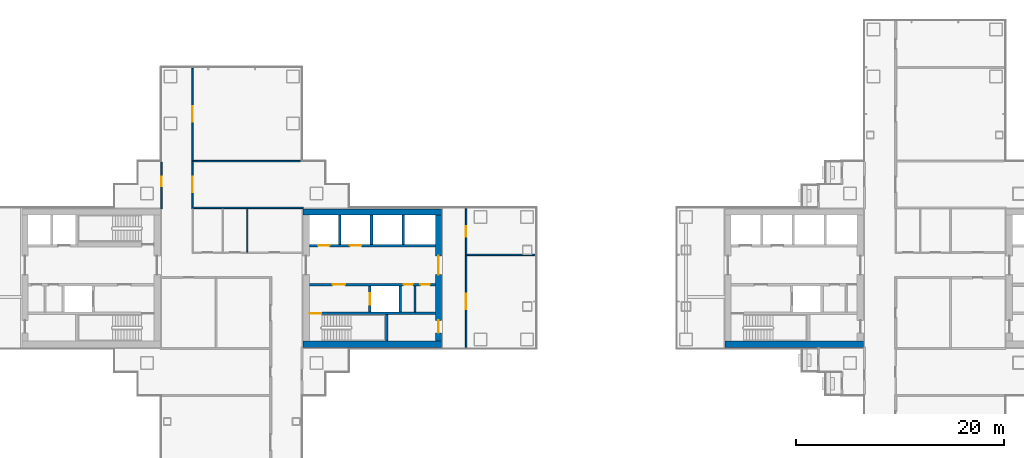
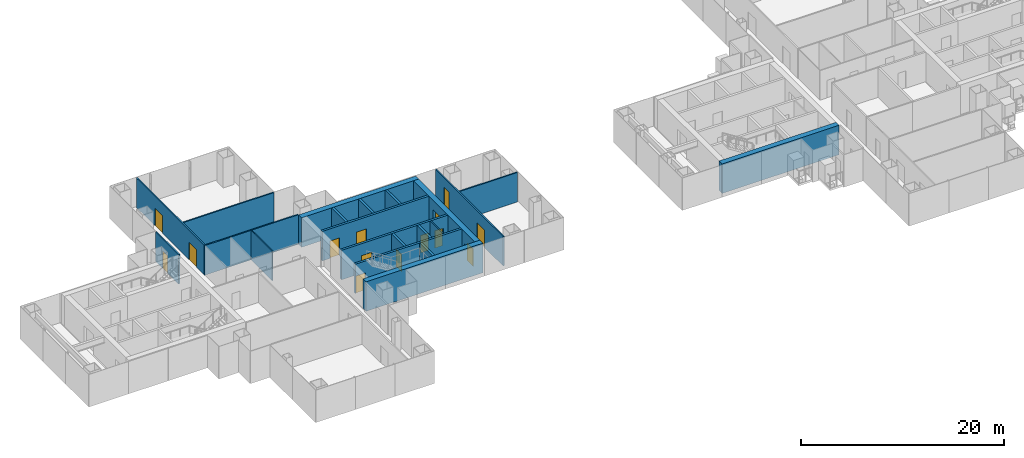
# One storey, part 13 of 20: 21 walls, 14 doors, 14 openings.
"""IFC4 building model written with IfcOpenShell, lengths in metres."""

from ifc_helpers import new_model, si_unit, direction, frame, frame_2d, origin, place, context, subcontext, project, spatial, rectangle, extrude, material, layer, layer_set, type_object, element, fill, save


model = new_model("IFC4")

# Units and contexts
model_context = context("Model", 3, precision=1e-05, world=origin(), true_north=direction((0.0, 1.0)))
body_context = subcontext(model_context, "Body", "Model", "MODEL_VIEW")
ifc_project = project(units=[si_unit("LENGTHUNIT", "METRE"), si_unit("AREAUNIT", "SQUARE_METRE"), si_unit("VOLUMEUNIT", "CUBIC_METRE"), si_unit("PLANEANGLEUNIT", "RADIAN"), si_unit("MASSUNIT", "GRAM", prefix="KILO")], contexts=[model_context])

# Site, building, storey
site_placement = place(None, origin())
site = spatial("IfcSite", under=ifc_project, at=site_placement, CompositionType="ELEMENT")
building_placement = place(site_placement, origin())
building = spatial("IfcBuilding", under=site, at=building_placement, Name="Shamsa Quay Exchange Towers", CompositionType="ELEMENT")
storey_placement = place(building_placement, frame((0.0, 0.0, 109.199951171875)))
storey = spatial("IfcBuildingStorey", under=building, at=storey_placement, Name="L25", CompositionType="ELEMENT", Elevation=109.199951171875)

# Walls
ifc_material_1 = material(Name="Concrete C70/85", Category="concrete")
ifc_layer_1 = layer(ifc_material_1, 0.60009765625)
ifc_layer_set_1 = layer_set([ifc_layer_1], Name="CORE WALL 600 C70/85")
wall_type_1 = type_object("IfcWallType", Name="CORE WALL 600 C70/85", PredefinedType="SHEAR", material=ifc_layer_set_1)
for number, where, name in (
    (1, (-26.89990234375, -6.35009765625, 0.0), "Core wall T1A-R11-PS"),
    (2, (-26.89990234375, 6.35009765625, 0.0), "Core wall T1A-R11-PN"),
):
    element("IfcWall", number, at=place(storey_placement, frame(where)), inside=storey, type_object=wall_type_1, Name=name, PredefinedType="SHEAR", context=body_context, shape_type="SweptSolid", body=[
        extrude(rectangle(XDim=13.2998046875, YDim=0.60009765625, at=frame_2d((6.64990234375, 0.0))), origin(), (0.0, 0.0, 1.0), 3.550048828125),
    ])

# Wall, openings, doors
wall_1_placement = place(storey_placement, frame((-13.89990234375, 6.050048828125, 0.0), z_axis=(0.0, 0.0, 1.0), x_axis=(0.0, -1.0, 0.0)))
wall_1 = element("IfcWall", 3, at=wall_1_placement, inside=storey, type_object=wall_type_1, Name="Core wall T1A-R11-PB", PredefinedType="SHEAR", context=body_context, shape_type="SweptSolid", body=[
    extrude(rectangle(XDim=12.10009765625, YDim=0.60009765625, at=frame_2d((6.050048828125, 0.0))), origin(), (0.0, 0.0, 1.0), 3.550048828125),
])
opening_1_placement = place(wall_1_placement, frame((10.10009765625, 0.0, 0.0)))
opening_1 = element("IfcOpeningElement", 4, at=opening_1_placement, cuts=wall_1, Name="Opening T1A-R11-RD02", PredefinedType="OPENING", context=body_context, shape_type="SweptSolid", body=[
    extrude(rectangle(XDim=1.199951171875, YDim=2.10009765625, at=frame_2d((0.60009765625, 1.050048828125))), frame((0.0, 0.31005859375, 0.0), z_axis=(0.0, -1.0, 0.0), x_axis=(1.0, 0.0, 0.0)), (0.0, 0.0, 1.0), 0.6201171875),
])
opening_2_placement = place(wall_1_placement, frame((3.89990234375, 0.0, 0.0)))
opening_2 = element("IfcOpeningElement", 5, at=opening_2_placement, cuts=wall_1, Name="Opening T1A-R11-LBD03", PredefinedType="OPENING", context=body_context, shape_type="SweptSolid", body=[
    extrude(rectangle(XDim=1.800048828125, YDim=2.39990234375, at=frame_2d((0.89990234375, 1.199951171875))), frame((0.0, 0.31005859375, 0.0), z_axis=(0.0, -1.0, 0.0), x_axis=(1.0, 0.0, 0.0)), (0.0, 0.0, 1.0), 0.6201171875),
])
ifc_material_2 = material(Name="Steel, fire rated", Category="steel")
door_type_1 = type_object("IfcDoorType", Name="LIFT LOBBY DOOR PAIR 1800", OperationType="DOUBLE_DOOR_SINGLE_SWING", PredefinedType="DOOR", material=ifc_material_2)
door_1_placement = place(opening_2_placement, origin())
door_1 = element("IfcDoor", 6, at=door_1_placement, inside=storey, type_object=door_type_1, Name="T1A-R11-LBD03", OperationType="DOUBLE_DOOR_SINGLE_SWING", OverallHeight=2.39990234375, OverallWidth=1.800048828125, PredefinedType="DOOR", context=body_context, shape_type="SweptSolid", body=[
    extrude(rectangle(XDim=1.800048828125, YDim=2.39990234375, at=frame_2d((0.89990234375, 1.199951171875))), frame((0.0, 0.02490234375, 0.0), z_axis=(0.0, -1.0, 0.0), x_axis=(1.0, 0.0, 0.0)), (0.0, 0.0, 1.0), 0.050048828125),
])
fill(opening_2, door_1)
door_type_2 = type_object("IfcDoorType", Name="RISER ACCESS DOOR 1200", OperationType="SINGLE_SWING_LEFT", PredefinedType="DOOR", material=ifc_material_2)
door_2_placement = place(opening_1_placement, origin())
door_2 = element("IfcDoor", 7, at=door_2_placement, inside=storey, type_object=door_type_2, Name="T1A-R11-RD02", OperationType="SINGLE_SWING_RIGHT", OverallHeight=2.10009765625, OverallWidth=1.199951171875, PredefinedType="DOOR", context=body_context, shape_type="SweptSolid", body=[
    extrude(rectangle(XDim=1.199951171875, YDim=2.10009765625, at=frame_2d((0.60009765625, 1.050048828125))), frame((0.0, 0.02490234375, 0.0), z_axis=(0.0, -1.0, 0.0), x_axis=(1.0, 0.0, 0.0)), (0.0, 0.0, 1.0), 0.050048828125),
])
fill(opening_1, door_2)

# Walls
wall_2_placement = place(storey_placement, frame((13.60009765625, -6.35009765625, 0.0)))
element("IfcWall", 8, at=wall_2_placement, inside=storey, type_object=wall_type_1, Name="Core wall T2A-R11-PS", PredefinedType="SHEAR", context=body_context, shape_type="SweptSolid", body=[
    extrude(rectangle(XDim=13.2998046875, YDim=0.60009765625, at=frame_2d((6.64990234375, 0.0))), origin(), (0.0, 0.0, 1.0), 3.550048828125),
])
ifc_material_3 = material(Name="Gypsum board on steel studs, EI 60", Category="steel")
ifc_layer_2 = layer(ifc_material_3, 0.14990234375)
ifc_layer_set_2 = layer_set([ifc_layer_2], Name="FIRE PARTITION 150")
wall_type_2 = type_object("IfcWallType", Name="FIRE PARTITION 150", PredefinedType="PARTITIONING", material=ifc_layer_set_2)
wall_3_placement = place(storey_placement, frame((-16.14990234375, -3.25, 0.0), z_axis=(0.0, 0.0, 1.0), x_axis=(0.0, 1.0, 0.0)))
element("IfcWall", 9, at=wall_3_placement, inside=storey, type_object=wall_type_2, Name="Partition T1A-R11-EC0", PredefinedType="PARTITIONING", context=body_context, shape_type="SweptSolid", body=[
    extrude(rectangle(XDim=2.5, YDim=0.14990234375, at=frame_2d((1.25, 0.0))), origin(), (0.0, 0.0, 1.0), 3.550048828125),
])
ifc_material_4 = material(Name="Laminated fire-resisting glass in a metal frame", Category="glass")
ifc_layer_3 = layer(ifc_material_4, 0.125)
ifc_layer_set_3 = layer_set([ifc_layer_3], Name="Glazed partition 125 mm EI 60")
wall_type_3 = type_object("IfcWallType", Name="Glazed partition 125 mm EI 60", PredefinedType="PARTITIONING", material=ifc_layer_set_3)
wall_4_placement = place(storey_placement, frame((-32.25, 2.5126953125, 0.0), z_axis=(0.0, 0.0, 1.0), x_axis=(0.0, 1.0, 0.0)))
element("IfcWall", 10, at=wall_4_placement, inside=storey, type_object=wall_type_3, Name="Partition T1-R11-W13", PredefinedType="PARTITIONING", context=body_context, shape_type="SweptSolid", body=[
    extrude(rectangle(XDim=4.162353515625, YDim=0.125, at=frame_2d((2.0810546875, 0.0))), origin(), (0.0, 0.0, 1.0), 3.550048828125),
])

# Wall, openings, doors
ifc_material_5 = material(Name="Gypsum board partition on metal studs")
ifc_layer_4 = layer(ifc_material_5, 0.14990234375)
ifc_layer_set_4 = layer_set([ifc_layer_4], Name="Partition 150 mm EI 60")
wall_type_4 = type_object("IfcWallType", Name="Partition 150 mm EI 60", PredefinedType="PARTITIONING", material=ifc_layer_set_4)
wall_5_placement = place(storey_placement, frame((-37.5, 20.155029296875, 0.0), z_axis=(0.0, 0.0, 1.0), x_axis=(0.0, -1.0, 0.0)))
wall_5 = element("IfcWall", 11, at=wall_5_placement, inside=storey, type_object=wall_type_4, Name="Partition T1-R11-W01", PredefinedType="PARTITIONING", context=body_context, shape_type="SweptSolid", body=[
    extrude(rectangle(XDim=13.330078125, YDim=0.14990234375, at=frame_2d((6.6650390625, 0.0))), origin(), (0.0, 0.0, 1.0), 3.550048828125),
])
opening_3_placement = place(wall_5_placement, frame((3.655029296875, 0.0, 0.0)))
opening_3 = element("IfcOpeningElement", 12, at=opening_3_placement, cuts=wall_5, Name="Opening T1-R11-D04", PredefinedType="OPENING", context=body_context, shape_type="SweptSolid", body=[
    extrude(rectangle(XDim=1.5, YDim=2.10009765625, at=frame_2d((0.75, 1.050048828125))), frame((0.0, 0.0849609375, 0.0), z_axis=(0.0, -1.0, 0.0), x_axis=(1.0, 0.0, 0.0)), (0.0, 0.0, 1.0), 0.169921875),
])
opening_4_placement = place(wall_5_placement, frame((10.405029296875, 0.0, 0.0)))
opening_4 = element("IfcOpeningElement", 13, at=opening_4_placement, cuts=wall_5, Name="Opening T1-R11-D05", PredefinedType="OPENING", context=body_context, shape_type="SweptSolid", body=[
    extrude(rectangle(XDim=1.5, YDim=2.10009765625, at=frame_2d((0.75, 1.050048828125))), frame((0.0, 0.0849609375, 0.0), z_axis=(0.0, -1.0, 0.0), x_axis=(1.0, 0.0, 0.0)), (0.0, 0.0, 1.0), 0.169921875),
])
ifc_material_6 = material(Name="Timber door leaf in a metal frame", Category="wood")
door_type_3 = type_object("IfcDoorType", Name="Door 1500x2100 FD30S pair", OperationType="NOTDEFINED", PredefinedType="DOOR", material=ifc_material_6)
door_3_placement = place(opening_3_placement, origin())
door_3 = element("IfcDoor", 14, at=door_3_placement, inside=storey, type_object=door_type_3, Name="Door T1-R11-D04", OperationType="DOUBLE_DOOR_SINGLE_SWING", OverallHeight=2.10009765625, OverallWidth=1.5, PredefinedType="DOOR", context=body_context, shape_type="SweptSolid", body=[
    extrude(rectangle(XDim=1.5, YDim=2.10009765625, at=frame_2d((0.75, 1.050048828125))), frame((0.0, 0.02490234375, 0.0), z_axis=(0.0, -1.0, 0.0), x_axis=(1.0, 0.0, 0.0)), (0.0, 0.0, 1.0), 0.050048828125),
])
fill(opening_3, door_3)
door_4_placement = place(opening_4_placement, origin())
door_4 = element("IfcDoor", 15, at=door_4_placement, inside=storey, type_object=door_type_3, Name="Door T1-R11-D05", OperationType="DOUBLE_DOOR_SINGLE_SWING", OverallHeight=2.10009765625, OverallWidth=1.5, PredefinedType="DOOR", context=body_context, shape_type="SweptSolid", body=[
    extrude(rectangle(XDim=1.5, YDim=2.10009765625, at=frame_2d((0.75, 1.050048828125))), frame((0.0, 0.02490234375, 0.0), z_axis=(0.0, -1.0, 0.0), x_axis=(1.0, 0.0, 0.0)), (0.0, 0.0, 1.0), 0.050048828125),
])
fill(opening_4, door_4)

# Wall, opening, door
wall_6_placement = place(storey_placement, frame((-40.5, 6.64990234375, 0.0), z_axis=(0.0, 0.0, 1.0), x_axis=(0.0, 1.0, 0.0)))
wall_6 = element("IfcWall", 16, at=wall_6_placement, inside=storey, type_object=wall_type_4, Name="Partition T1-R11-W08", PredefinedType="PARTITIONING", context=body_context, shape_type="SweptSolid", body=[
    extrude(rectangle(XDim=4.505126953125, YDim=0.14990234375, at=frame_2d((2.25244140625, 0.0))), origin(), (0.0, 0.0, 1.0), 3.550048828125),
])
opening_5_placement = place(wall_6_placement, frame((2.199951171875, 0.0, 0.0)))
opening_5 = element("IfcOpeningElement", 17, at=opening_5_placement, cuts=wall_6, Name="Opening T1-R11-D01", PredefinedType="OPENING", context=body_context, shape_type="SweptSolid", body=[
    extrude(rectangle(XDim=0.89990234375, YDim=2.10009765625, at=frame_2d((0.449951171875, 1.050048828125))), frame((0.0, 0.0849609375, 0.0), z_axis=(0.0, -1.0, 0.0), x_axis=(1.0, 0.0, 0.0)), (0.0, 0.0, 1.0), 0.169921875),
])
door_type_4 = type_object("IfcDoorType", Name="Door 900x2100 FD30S", OperationType="NOTDEFINED", PredefinedType="DOOR", material=ifc_material_6)
door_5_placement = place(opening_5_placement, origin())
door_5 = element("IfcDoor", 18, at=door_5_placement, inside=storey, type_object=door_type_4, Name="Door T1-R11-D01", OperationType="SINGLE_SWING_RIGHT", OverallHeight=2.10009765625, OverallWidth=0.89990234375, PredefinedType="DOOR", context=body_context, shape_type="SweptSolid", body=[
    extrude(rectangle(XDim=0.89990234375, YDim=2.10009765625, at=frame_2d((0.449951171875, 1.050048828125))), frame((0.0, 0.02490234375, 0.0), z_axis=(0.0, -1.0, 0.0), x_axis=(1.0, 0.0, 0.0)), (0.0, 0.0, 1.0), 0.050048828125),
])
fill(opening_5, door_5)

# Wall, openings, doors
wall_7_placement = place(storey_placement, frame((-11.25, 6.655029296875, 0.0), z_axis=(0.0, 0.0, 1.0), x_axis=(0.0, -1.0, 0.0)))
wall_7 = element("IfcWall", 19, at=wall_7_placement, inside=storey, type_object=wall_type_4, Name="Partition T1-R11-W09", PredefinedType="PARTITIONING", context=body_context, shape_type="SweptSolid", body=[
    extrude(rectangle(XDim=13.31005859375, YDim=0.14990234375, at=frame_2d((6.655029296875, 0.0))), origin(), (0.0, 0.0, 1.0), 3.550048828125),
])
opening_6_placement = place(wall_7_placement, frame((1.655029296875, 0.0, 0.0)))
opening_6 = element("IfcOpeningElement", 20, at=opening_6_placement, cuts=wall_7, Name="Opening T1-R11-D12", PredefinedType="OPENING", context=body_context, shape_type="SweptSolid", body=[
    extrude(rectangle(XDim=1.0, YDim=2.39990234375, at=frame_2d((0.5, 1.199951171875))), frame((0.0, 0.0849609375, 0.0), z_axis=(0.0, -1.0, 0.0), x_axis=(1.0, 0.0, 0.0)), (0.0, 0.0, 1.0), 0.169921875),
])
opening_7_placement = place(wall_7_placement, frame((8.155029296875, 0.0, 0.0)))
opening_7 = element("IfcOpeningElement", 21, at=opening_7_placement, cuts=wall_7, Name="Opening T1-R11-D13", PredefinedType="OPENING", context=body_context, shape_type="SweptSolid", body=[
    extrude(rectangle(XDim=1.5, YDim=2.10009765625, at=frame_2d((0.75, 1.050048828125))), frame((0.0, 0.0849609375, 0.0), z_axis=(0.0, -1.0, 0.0), x_axis=(1.0, 0.0, 0.0)), (0.0, 0.0, 1.0), 0.169921875),
])
door_type_5 = type_object("IfcDoorType", Name="Door 1000x2400 FD30S", OperationType="NOTDEFINED", PredefinedType="DOOR", material=ifc_material_6)
door_6_placement = place(opening_6_placement, origin())
door_6 = element("IfcDoor", 22, at=door_6_placement, inside=storey, type_object=door_type_5, Name="Door T1-R11-D12", OperationType="SINGLE_SWING_LEFT", OverallHeight=2.39990234375, OverallWidth=1.0, PredefinedType="DOOR", context=body_context, shape_type="SweptSolid", body=[
    extrude(rectangle(XDim=1.0, YDim=2.39990234375, at=frame_2d((0.5, 1.199951171875))), frame((0.0, 0.02490234375, 0.0), z_axis=(0.0, -1.0, 0.0), x_axis=(1.0, 0.0, 0.0)), (0.0, 0.0, 1.0), 0.050048828125),
])
fill(opening_6, door_6)
door_7_placement = place(opening_7_placement, origin())
door_7 = element("IfcDoor", 23, at=door_7_placement, inside=storey, type_object=door_type_3, Name="Door T1-R11-D13", OperationType="DOUBLE_DOOR_SINGLE_SWING", OverallHeight=2.10009765625, OverallWidth=1.5, PredefinedType="DOOR", context=body_context, shape_type="SweptSolid", body=[
    extrude(rectangle(XDim=1.5, YDim=2.10009765625, at=frame_2d((0.75, 1.050048828125))), frame((0.0, 0.02490234375, 0.0), z_axis=(0.0, -1.0, 0.0), x_axis=(1.0, 0.0, 0.0)), (0.0, 0.0, 1.0), 0.050048828125),
])
fill(opening_7, door_7)

# Walls
wall_8_placement = place(storey_placement, frame((-27.094970703125, 11.25, 0.0), z_axis=(0.0, 0.0, 1.0), x_axis=(-1.0, 0.0, 0.0)))
element("IfcWall", 24, at=wall_8_placement, inside=storey, type_object=wall_type_4, Name="Partition T1-R11-W10", PredefinedType="PARTITIONING", context=body_context, shape_type="SweptSolid", body=[
    extrude(rectangle(XDim=10.330078125, YDim=0.14990234375, at=frame_2d((5.1650390625, 0.0))), origin(), (0.0, 0.0, 1.0), 3.550048828125),
])
wall_9_placement = place(storey_placement, frame((-37.574951171875, 6.75, 0.0)))
element("IfcWall", 25, at=wall_9_placement, inside=storey, type_object=wall_type_4, Name="Partition T1-R11-W11", PredefinedType="PARTITIONING", context=body_context, shape_type="SweptSolid", body=[
    extrude(rectangle(XDim=10.675048828125, YDim=0.14990234375, at=frame_2d((5.33740234375, 0.0))), origin(), (0.0, 0.0, 1.0), 3.550048828125),
])
wall_10_placement = place(storey_placement, frame((-4.594970703125, 2.25, 0.0), z_axis=(0.0, 0.0, 1.0), x_axis=(-1.0, 0.0, 0.0)))
element("IfcWall", 26, at=wall_10_placement, inside=storey, type_object=wall_type_4, Name="Partition T1-R11-W17", PredefinedType="PARTITIONING", context=body_context, shape_type="SweptSolid", body=[
    extrude(rectangle(XDim=6.580078125, YDim=0.14990234375, at=frame_2d((3.2900390625, 0.0))), origin(), (0.0, 0.0, 1.0), 3.550048828125),
])

# Wall, opening, door
ifc_material_7 = material(Name="Concrete C50/60", Category="concrete")
ifc_layer_5 = layer(ifc_material_7, 0.25)
ifc_layer_set_5 = layer_set([ifc_layer_5], Name="SHAFT WALL 250 C50/60")
wall_type_5 = type_object("IfcWallType", Name="SHAFT WALL 250 C50/60", PredefinedType="SHEAR", material=ifc_layer_set_5)
wall_11_placement = place(storey_placement, frame((-14.199951171875, -3.375, 0.0), z_axis=(0.0, 0.0, 1.0), x_axis=(-1.0, 0.0, 0.0)))
wall_11 = element("IfcWall", 27, at=wall_11_placement, inside=storey, type_object=wall_type_5, Name="Shaft wall T1A-R11-STL", PredefinedType="SHEAR", context=body_context, shape_type="SweptSolid", body=[
    extrude(rectangle(XDim=12.10009765625, YDim=0.25, at=frame_2d((6.050048828125, 0.0))), origin(), (0.0, 0.0, 1.0), 3.550048828125),
])
opening_8_placement = place(wall_11_placement, frame((10.949951171875, 0.0, 0.0)))
opening_8 = element("IfcOpeningElement", 28, at=opening_8_placement, cuts=wall_11, Name="Opening T1A-R11-SD04", PredefinedType="OPENING", context=body_context, shape_type="SweptSolid", body=[
    extrude(rectangle(XDim=1.10009765625, YDim=2.10009765625, at=frame_2d((0.550048828125, 1.050048828125))), frame((0.0, 0.135009765625, 0.0), z_axis=(0.0, -1.0, 0.0), x_axis=(1.0, 0.0, 0.0)), (0.0, 0.0, 1.0), 0.27001953125),
])
door_type_6 = type_object("IfcDoorType", Name="STAIR DOOR 1100", OperationType="SINGLE_SWING_LEFT", PredefinedType="DOOR", material=ifc_material_2)
door_8_placement = place(opening_8_placement, origin())
door_8 = element("IfcDoor", 29, at=door_8_placement, inside=storey, type_object=door_type_6, Name="T1A-R11-SD04", OperationType="SINGLE_SWING_RIGHT", OverallHeight=2.10009765625, OverallWidth=1.10009765625, PredefinedType="DOOR", context=body_context, shape_type="SweptSolid", body=[
    extrude(rectangle(XDim=1.10009765625, YDim=2.10009765625, at=frame_2d((0.550048828125, 1.050048828125))), frame((0.0, 0.02490234375, 0.0), z_axis=(0.0, -1.0, 0.0), x_axis=(1.0, 0.0, 0.0)), (0.0, 0.0, 1.0), 0.050048828125),
])
fill(opening_8, door_8)

# Wall
wall_12_placement = place(storey_placement, frame((-18.875, -6.050048828125, 0.0), z_axis=(0.0, 0.0, 1.0), x_axis=(0.0, 1.0, 0.0)))
element("IfcWall", 30, at=wall_12_placement, inside=storey, type_object=wall_type_5, Name="Shaft wall T1A-R11-STF", PredefinedType="SHEAR", context=body_context, shape_type="SweptSolid", body=[
    extrude(rectangle(XDim=2.550048828125, YDim=0.25, at=frame_2d((1.27490234375, 0.0))), origin(), (0.0, 0.0, 1.0), 3.550048828125),
])

# Wall, openings, doors
wall_13_placement = place(storey_placement, frame((-14.199951171875, -0.625, 0.0), z_axis=(0.0, 0.0, 1.0), x_axis=(-1.0, 0.0, 0.0)))
wall_13 = element("IfcWall", 31, at=wall_13_placement, inside=storey, type_object=wall_type_5, Name="Shaft wall T1A-R11-B", PredefinedType="SHEAR", context=body_context, shape_type="SweptSolid", body=[
    extrude(rectangle(XDim=12.10009765625, YDim=0.25, at=frame_2d((6.050048828125, 0.0))), origin(), (0.0, 0.0, 1.0), 3.550048828125),
])
opening_9_placement = place(wall_13_placement, frame((8.64990234375, 0.0, 0.0)))
opening_9 = element("IfcOpeningElement", 32, at=opening_9_placement, cuts=wall_13, Name="Opening T1A-R11-FD05", PredefinedType="OPENING", context=body_context, shape_type="SweptSolid", body=[
    extrude(rectangle(XDim=1.199951171875, YDim=2.10009765625, at=frame_2d((0.60009765625, 1.050048828125))), frame((0.0, 0.135009765625, 0.0), z_axis=(0.0, -1.0, 0.0), x_axis=(1.0, 0.0, 0.0)), (0.0, 0.0, 1.0), 0.27001953125),
])
opening_10_placement = place(wall_13_placement, frame((2.14990234375, 0.0, 0.0)))
opening_10 = element("IfcOpeningElement", 33, at=opening_10_placement, cuts=wall_13, Name="Opening T1A-R11-SV06", PredefinedType="OPENING", context=body_context, shape_type="SweptSolid", body=[
    extrude(rectangle(XDim=0.89990234375, YDim=2.10009765625, at=frame_2d((0.449951171875, 1.050048828125))), frame((0.0, 0.135009765625, 0.0), z_axis=(0.0, -1.0, 0.0), x_axis=(1.0, 0.0, 0.0)), (0.0, 0.0, 1.0), 0.27001953125),
])
opening_11_placement = place(wall_13_placement, frame((0.52490234375, 0.0, 0.0)))
opening_11 = element("IfcOpeningElement", 34, at=opening_11_placement, cuts=wall_13, Name="Opening T1A-R11-SV07", PredefinedType="OPENING", context=body_context, shape_type="SweptSolid", body=[
    extrude(rectangle(XDim=0.89990234375, YDim=2.10009765625, at=frame_2d((0.449951171875, 1.050048828125))), frame((0.0, 0.135009765625, 0.0), z_axis=(0.0, -1.0, 0.0), x_axis=(1.0, 0.0, 0.0)), (0.0, 0.0, 1.0), 0.27001953125),
])
door_type_7 = type_object("IfcDoorType", Name="FIRE SERVICE LOBBY DOOR 1200", OperationType="SINGLE_SWING_LEFT", PredefinedType="DOOR", material=ifc_material_2)
door_9_placement = place(opening_9_placement, origin())
door_9 = element("IfcDoor", 35, at=door_9_placement, inside=storey, type_object=door_type_7, Name="T1A-R11-FD05", OperationType="SINGLE_SWING_RIGHT", OverallHeight=2.10009765625, OverallWidth=1.199951171875, PredefinedType="DOOR", context=body_context, shape_type="SweptSolid", body=[
    extrude(rectangle(XDim=1.199951171875, YDim=2.10009765625, at=frame_2d((0.60009765625, 1.050048828125))), frame((0.0, 0.02490234375, 0.0), z_axis=(0.0, -1.0, 0.0), x_axis=(1.0, 0.0, 0.0)), (0.0, 0.0, 1.0), 0.050048828125),
])
fill(opening_9, door_9)
door_type_8 = type_object("IfcDoorType", Name="SERVICE ROOM DOOR 900", OperationType="SINGLE_SWING_LEFT", PredefinedType="DOOR", material=ifc_material_2)
door_10_placement = place(opening_10_placement, origin())
door_10 = element("IfcDoor", 36, at=door_10_placement, inside=storey, type_object=door_type_8, Name="T1A-R11-SV06", OperationType="SINGLE_SWING_LEFT", OverallHeight=2.10009765625, OverallWidth=0.89990234375, PredefinedType="DOOR", context=body_context, shape_type="SweptSolid", body=[
    extrude(rectangle(XDim=0.89990234375, YDim=2.10009765625, at=frame_2d((0.449951171875, 1.050048828125))), frame((0.0, 0.02490234375, 0.0), z_axis=(0.0, -1.0, 0.0), x_axis=(1.0, 0.0, 0.0)), (0.0, 0.0, 1.0), 0.050048828125),
])
fill(opening_10, door_10)
door_11_placement = place(opening_11_placement, origin())
door_11 = element("IfcDoor", 37, at=door_11_placement, inside=storey, type_object=door_type_8, Name="T1A-R11-SV07", OperationType="SINGLE_SWING_LEFT", OverallHeight=2.10009765625, OverallWidth=0.89990234375, PredefinedType="DOOR", context=body_context, shape_type="SweptSolid", body=[
    extrude(rectangle(XDim=0.89990234375, YDim=2.10009765625, at=frame_2d((0.449951171875, 1.050048828125))), frame((0.0, 0.02490234375, 0.0), z_axis=(0.0, -1.0, 0.0), x_axis=(1.0, 0.0, 0.0)), (0.0, 0.0, 1.0), 0.050048828125),
])
fill(opening_11, door_11)

# Wall, opening, door
wall_14_placement = place(storey_placement, frame((-20.47509765625, -3.25, 0.0), z_axis=(0.0, 0.0, 1.0), x_axis=(0.0, 1.0, 0.0)))
wall_14 = element("IfcWall", 38, at=wall_14_placement, inside=storey, type_object=wall_type_5, Name="Shaft wall T1A-R11-FFF", PredefinedType="SHEAR", context=body_context, shape_type="SweptSolid", body=[
    extrude(rectangle(XDim=2.5, YDim=0.25, at=frame_2d((1.25, 0.0))), origin(), (0.0, 0.0, 1.0), 3.550048828125),
])
opening_12_placement = place(wall_14_placement, frame((0.699951171875, 0.0, 0.0)))
opening_12 = element("IfcOpeningElement", 39, at=opening_12_placement, cuts=wall_14, Name="Opening T1A-R11-LDF08", PredefinedType="OPENING", context=body_context, shape_type="SweptSolid", body=[
    extrude(rectangle(XDim=1.10009765625, YDim=2.10009765625, at=frame_2d((0.550048828125, 1.050048828125))), frame((0.0, 0.135009765625, 0.0), z_axis=(0.0, -1.0, 0.0), x_axis=(1.0, 0.0, 0.0)), (0.0, 0.0, 1.0), 0.27001953125),
])
door_type_9 = type_object("IfcDoorType", Name="FIRE SERVICE LANDING DOOR 1100", OperationType="SLIDING_TO_LEFT", PredefinedType="DOOR", material=ifc_material_2)
door_12_placement = place(opening_12_placement, origin())
door_12 = element("IfcDoor", 40, at=door_12_placement, inside=storey, type_object=door_type_9, Name="T1A-R11-LDF08", OperationType="SLIDING_TO_LEFT", OverallHeight=2.10009765625, OverallWidth=1.10009765625, PredefinedType="DOOR", context=body_context, shape_type="SweptSolid", body=[
    extrude(rectangle(XDim=1.10009765625, YDim=2.10009765625, at=frame_2d((0.550048828125, 1.050048828125))), frame((0.0, 0.02490234375, 0.0), z_axis=(0.0, -1.0, 0.0), x_axis=(1.0, 0.0, 0.0)), (0.0, 0.0, 1.0), 0.050048828125),
])
fill(opening_12, door_12)

# Wall
wall_15_placement = place(storey_placement, frame((-17.574951171875, -3.25, 0.0), z_axis=(0.0, 0.0, 1.0), x_axis=(0.0, 1.0, 0.0)))
element("IfcWall", 41, at=wall_15_placement, inside=storey, type_object=wall_type_5, Name="Shaft wall T1A-R11-FFB", PredefinedType="SHEAR", context=body_context, shape_type="SweptSolid", body=[
    extrude(rectangle(XDim=2.5, YDim=0.25, at=frame_2d((1.25, 0.0))), origin(), (0.0, 0.0, 1.0), 3.550048828125),
])

# Wall, openings, doors
wall_16_placement = place(storey_placement, frame((-26.300048828125, 3.125, 0.0)))
wall_16 = element("IfcWall", 42, at=wall_16_placement, inside=storey, type_object=wall_type_5, Name="Shaft wall T1A-R11-N", PredefinedType="SHEAR", context=body_context, shape_type="SweptSolid", body=[
    extrude(rectangle(XDim=12.10009765625, YDim=0.25, at=frame_2d((6.050048828125, 0.0))), origin(), (0.0, 0.0, 1.0), 3.550048828125),
])
opening_13_placement = place(wall_16_placement, frame((0.85009765625, 0.0, 0.0)))
opening_13 = element("IfcOpeningElement", 43, at=opening_13_placement, cuts=wall_16, Name="Opening T1A-R11-LD09", PredefinedType="OPENING", context=body_context, shape_type="SweptSolid", body=[
    extrude(rectangle(XDim=1.10009765625, YDim=2.10009765625, at=frame_2d((0.550048828125, 1.050048828125))), frame((0.0, 0.135009765625, 0.0), z_axis=(0.0, -1.0, 0.0), x_axis=(1.0, 0.0, 0.0)), (0.0, 0.0, 1.0), 0.27001953125),
])
opening_14_placement = place(wall_16_placement, frame((3.89990234375, 0.0, 0.0)))
opening_14 = element("IfcOpeningElement", 44, at=opening_14_placement, cuts=wall_16, Name="Opening T1A-R11-LD10", PredefinedType="OPENING", context=body_context, shape_type="SweptSolid", body=[
    extrude(rectangle(XDim=1.10009765625, YDim=2.10009765625, at=frame_2d((0.550048828125, 1.050048828125))), frame((0.0, 0.135009765625, 0.0), z_axis=(0.0, -1.0, 0.0), x_axis=(1.0, 0.0, 0.0)), (0.0, 0.0, 1.0), 0.27001953125),
])
door_type_10 = type_object("IfcDoorType", Name="LANDING DOOR 1100", OperationType="SLIDING_TO_LEFT", PredefinedType="DOOR", material=ifc_material_2)
door_13_placement = place(opening_13_placement, origin())
door_13 = element("IfcDoor", 45, at=door_13_placement, inside=storey, type_object=door_type_10, Name="T1A-R11-LD09", OperationType="SLIDING_TO_LEFT", OverallHeight=2.10009765625, OverallWidth=1.10009765625, PredefinedType="DOOR", context=body_context, shape_type="SweptSolid", body=[
    extrude(rectangle(XDim=1.10009765625, YDim=2.10009765625, at=frame_2d((0.550048828125, 1.050048828125))), frame((0.0, 0.02490234375, 0.0), z_axis=(0.0, -1.0, 0.0), x_axis=(1.0, 0.0, 0.0)), (0.0, 0.0, 1.0), 0.050048828125),
])
fill(opening_13, door_13)
door_14_placement = place(opening_14_placement, origin())
door_14 = element("IfcDoor", 46, at=door_14_placement, inside=storey, type_object=door_type_10, Name="T1A-R11-LD10", OperationType="SLIDING_TO_LEFT", OverallHeight=2.10009765625, OverallWidth=1.10009765625, PredefinedType="DOOR", context=body_context, shape_type="SweptSolid", body=[
    extrude(rectangle(XDim=1.10009765625, YDim=2.10009765625, at=frame_2d((0.550048828125, 1.050048828125))), frame((0.0, 0.02490234375, 0.0), z_axis=(0.0, -1.0, 0.0), x_axis=(1.0, 0.0, 0.0)), (0.0, 0.0, 1.0), 0.050048828125),
])
fill(opening_14, door_14)

# Walls
for number, where, z_axis, x_axis, name in (
    (47, (-23.375, 3.25, 0.0), (0.0, 0.0, 1.0), (0.0, 1.0, 0.0), "Shaft wall T1A-R11-D0"),
    (48, (-20.324951171875, 3.25, 0.0), (0.0, 0.0, 1.0), (0.0, 1.0, 0.0), "Shaft wall T1A-R11-D1"),
    (49, (-17.27490234375, 3.25, 0.0), (0.0, 0.0, 1.0), (0.0, 1.0, 0.0), "Shaft wall T1A-R11-D2"),
):
    element("IfcWall", number, at=place(storey_placement, frame(where, z_axis=z_axis, x_axis=x_axis)), inside=storey, type_object=wall_type_5, Name=name, PredefinedType="SHEAR", context=body_context, shape_type="SweptSolid", body=[
        extrude(rectangle(XDim=2.800048828125, YDim=0.25, at=frame_2d((1.39990234375, 0.0))), origin(), (0.0, 0.0, 1.0), 3.550048828125),
    ])

save(model, "model.ifc")
